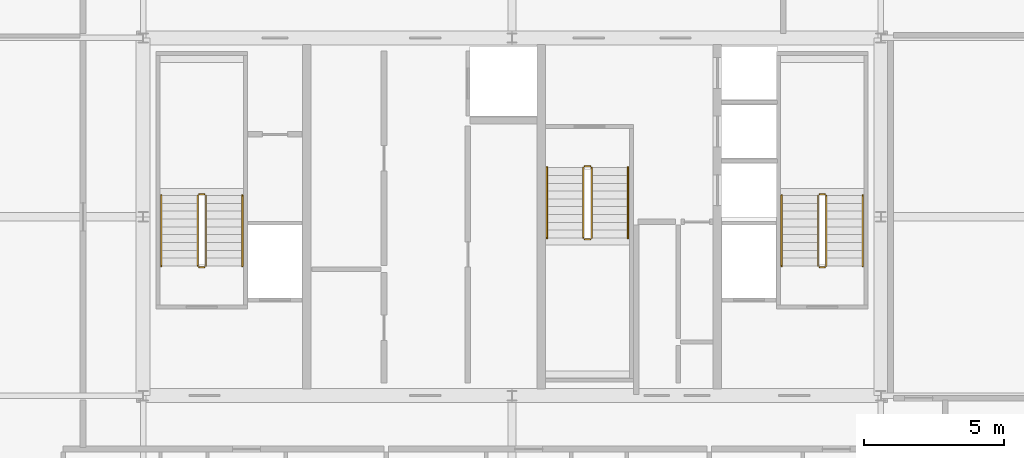
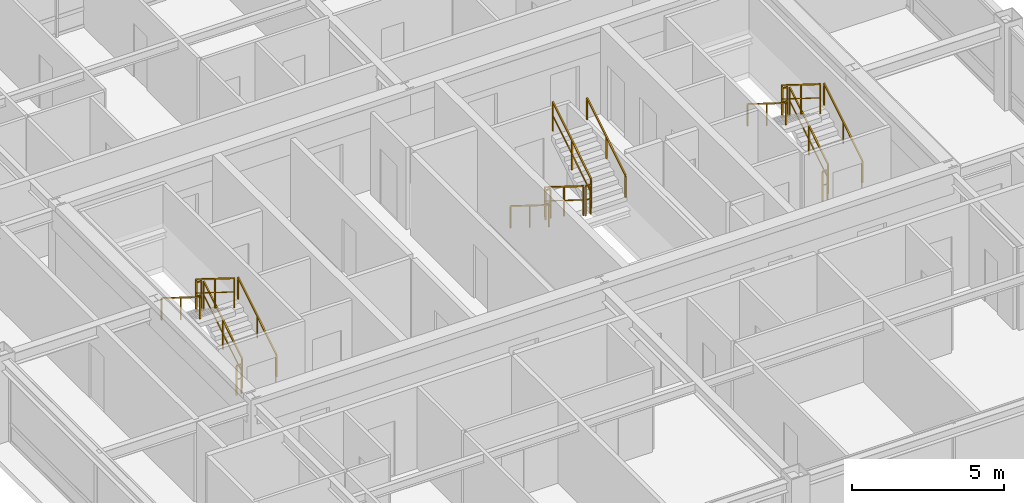
# One storey, part 35 of 35: 18 railings.
"""IFC4 building model written with IfcOpenShell, lengths in metres."""

from ifc_helpers import new_model, si_unit, direction, frame, origin, origin_2d, place, context, subcontext, project, spatial, rectangle, extrude, source, transform, mapped, material, layer, layer_set, type_object, element, save


model = new_model("IFC4")

# Units and contexts
model_context = context("Model", 3, precision=1e-05, world=origin(), true_north=direction((0.0, 1.0)))
body_context = subcontext(model_context, "Body", "Model", "MODEL_VIEW")
ifc_project = project(units=[si_unit("LENGTHUNIT", "METRE"), si_unit("AREAUNIT", "SQUARE_METRE"), si_unit("VOLUMEUNIT", "CUBIC_METRE"), si_unit("PLANEANGLEUNIT", "RADIAN"), si_unit("MASSUNIT", "GRAM", prefix="KILO"), si_unit("THERMODYNAMICTEMPERATUREUNIT", "KELVIN"), si_unit("POWERUNIT", "WATT")], contexts=[model_context])

# Site, building, storey
site_placement = place(None, origin())
site = spatial("IfcSite", under=ifc_project, at=site_placement, CompositionType="ELEMENT")
building_placement = place(site_placement, origin())
building = spatial("IfcBuilding", under=site, at=building_placement, Name="Yuzanri Waterfront Tower", CompositionType="ELEMENT")
storey_placement = place(building_placement, frame((0.0, 0.0, 332.199951171875)))
storey = spatial("IfcBuildingStorey", under=building, at=storey_placement, Name="L89", CompositionType="ELEMENT", Elevation=332.199951171875)

# Railings
ifc_material_1 = material(Name="Painted Galvanized Fire Steel", Category="steel")
ifc_layer_1 = layer(ifc_material_1, 0.06005859375)
ifc_layer_set_1 = layer_set([ifc_layer_1], Name="Painted Galvanized Fire Steel")
railing_type_1 = type_object("IfcRailingType", Name="Painted Steel Stairwell Guardrail 1120", PredefinedType="GUARDRAIL", material=ifc_layer_set_1)
shared_shape_1 = source(origin(), body_context, "Body", "SweptSolid", [
    extrude(rectangle(XDim=0.050048828125, YDim=0.050048828125, at=origin_2d()), frame((0.0, 0.0, 1.1748046875), z_axis=(-1.0, 0.0, 0.0), x_axis=(0.0, -1.0, 0.0)), (0.0, 0.0, 1.0), 0.199951171875),
    extrude(rectangle(XDim=0.035888671875, YDim=0.030029296875, at=origin_2d()), frame((0.0, 0.0, 0.6240234375), z_axis=(-1.0, 0.0, 0.0), x_axis=(0.0, -1.0, 0.0)), (0.0, 0.0, 1.0), 0.199951171875),
    extrude(rectangle(XDim=0.0458984375, YDim=0.0458984375, at=origin_2d()), origin(), (0.0, 0.0, 1.0), 1.14990234375),
    extrude(rectangle(XDim=0.0458984375, YDim=0.0458984375, at=origin_2d()), frame((-0.199951171875, 0.0, 0.0)), (0.0, 0.0, 1.0), 1.14990234375),
])
for number, where, name in (
    (1, (26.0, 26.610107421875, 1.75), "L89 ST-01 stair guard 2"),
    (2, (26.0, 23.989990234375, 0.0), "L89 ST-01 stair guard 4"),
    (3, (48.199951171875, 26.610107421875, 1.75), "L89 ST-02 stair guard 2"),
    (4, (48.199951171875, 23.989990234375, 0.0), "L89 ST-02 stair guard 4"),
):
    element("IfcRailing", number, at=place(storey_placement, frame(where)), inside=storey, type_object=railing_type_1, Name=name, PredefinedType="GUARDRAIL", context=body_context, shape_type="MappedRepresentation", body=[
        mapped(shared_shape_1, transform((0.0, 0.0, 0.0), scale=1.0)),
    ])
shared_shape_2 = source(origin(), body_context, "Body", "SweptSolid", [
    extrude(rectangle(XDim=0.050048828125, YDim=0.050048828125, at=origin_2d()), frame((0.0, 0.0, 1.1748046875), z_axis=(0.0, 0.848007534815, 0.529984170421), x_axis=(-1.0, 0.0, 0.0)), (0.0, 0.0, 1.0), 2.9716796875),
    extrude(rectangle(XDim=0.035888671875, YDim=0.030029296875, at=origin_2d()), frame((0.0, 0.0, 0.6240234375), z_axis=(0.0, 0.848007534815, 0.529984170421), x_axis=(-1.0, 0.0, 0.0)), (0.0, 0.0, 1.0), 2.9716796875),
    extrude(rectangle(XDim=0.0458984375, YDim=0.0458984375, at=origin_2d()), origin(), (0.0, 0.0, 1.0), 1.14990234375),
    extrude(rectangle(XDim=0.0458984375, YDim=0.0458984375, at=origin_2d()), frame((0.0, 1.260009765625, 0.78759765625)), (0.0, 0.0, 1.0), 1.14990234375),
    extrude(rectangle(XDim=0.0458984375, YDim=0.0458984375, at=origin_2d()), frame((0.0, 2.52001953125, 1.574951171875)), (0.0, 0.0, 1.0), 1.14990234375),
])
for number, where, name in (
    (5, (26.050048828125, 24.0400390625, 0.175048828125), "L89 ST-01 stair guard 1"),
    (6, (48.25, 24.0400390625, 0.175048828125), "L89 ST-02 stair guard 1"),
    (7, (39.85009765625, 25.0400390625, 1.925048828125), "L89 ST-03 stair guard 3"),
):
    element("IfcRailing", number, at=place(storey_placement, frame(where)), inside=storey, type_object=railing_type_1, Name=name, PredefinedType="GUARDRAIL", context=body_context, shape_type="MappedRepresentation", body=[
        mapped(shared_shape_2, transform((0.0, 0.0, 0.0), scale=1.0)),
    ])
shared_shape_3 = source(origin(), body_context, "Body", "SweptSolid", [
    extrude(rectangle(XDim=0.050048828125, YDim=0.050048828125, at=origin_2d()), frame((0.0, 0.0, 1.1748046875), z_axis=(0.0, -0.848007534815, 0.529984170421), x_axis=(1.0, 0.0, 0.0)), (0.0, 0.0, 1.0), 2.9716796875),
    extrude(rectangle(XDim=0.035888671875, YDim=0.030029296875, at=origin_2d()), frame((0.0, 0.0, 0.6240234375), z_axis=(0.0, -0.848007534815, 0.529984170421), x_axis=(1.0, 0.0, 0.0)), (0.0, 0.0, 1.0), 2.9716796875),
    extrude(rectangle(XDim=0.0458984375, YDim=0.0458984375, at=origin_2d()), origin(), (0.0, 0.0, 1.0), 1.14990234375),
    extrude(rectangle(XDim=0.0458984375, YDim=0.0458984375, at=origin_2d()), frame((0.0, -1.260009765625, 0.78759765625)), (0.0, 0.0, 1.0), 1.14990234375),
    extrude(rectangle(XDim=0.0458984375, YDim=0.0458984375, at=origin_2d()), frame((0.0, -2.52001953125, 1.574951171875)), (0.0, 0.0, 1.0), 1.14990234375),
])
for number, where, name in (
    (8, (25.75, 26.56005859375, 1.925048828125), "L89 ST-01 stair guard 3"),
    (9, (47.949951171875, 26.56005859375, 1.925048828125), "L89 ST-02 stair guard 3"),
    (10, (39.550048828125, 27.56005859375, 0.175048828125), "L89 ST-03 stair guard 1"),
):
    element("IfcRailing", number, at=place(storey_placement, frame(where)), inside=storey, type_object=railing_type_1, Name=name, PredefinedType="GUARDRAIL", context=body_context, shape_type="MappedRepresentation", body=[
        mapped(shared_shape_3, transform((0.0, 0.0, 0.0), scale=1.0)),
    ])
ifc_material_2 = material(Name="Anodized Architectural Bronze", Category="metal")
ifc_layer_2 = layer(ifc_material_2, 0.050048828125)
ifc_layer_set_2 = layer_set([ifc_layer_2], Name="Anodized Architectural Bronze")
railing_type_2 = type_object("IfcRailingType", Name="Brushed Bronze Stair Pitch Handrail 920", PredefinedType="HANDRAIL", material=ifc_layer_set_2)
shared_shape_4 = source(origin(), body_context, "Body", "SweptSolid", [
    extrude(rectangle(XDim=0.050048828125, YDim=0.050048828125, at=origin_2d()), frame((0.0, 0.0, 0.875), z_axis=(0.0, 0.848007534815, 0.529984170421), x_axis=(-1.0, 0.0, 0.0)), (0.0, 0.0, 1.0), 2.9716796875),
    extrude(rectangle(XDim=0.0458984375, YDim=0.0458984375, at=origin_2d()), origin(), (0.0, 0.0, 1.0), 0.849853515625),
    extrude(rectangle(XDim=0.0458984375, YDim=0.0458984375, at=origin_2d()), frame((0.0, 1.260009765625, 0.78759765625)), (0.0, 0.0, 1.0), 0.849853515625),
    extrude(rectangle(XDim=0.0458984375, YDim=0.0458984375, at=origin_2d()), frame((0.0, 2.52001953125, 1.574951171875)), (0.0, 0.0, 1.0), 0.849853515625),
])
for number, where, name in (
    (11, (27.35009765625, 24.0400390625, 0.175048828125), "L89 ST-01 stair handrail 1"),
    (12, (49.550048828125, 24.0400390625, 0.175048828125), "L89 ST-02 stair handrail 1"),
    (13, (41.14990234375, 25.0400390625, 1.925048828125), "L89 ST-03 stair handrail 2"),
):
    element("IfcRailing", number, at=place(storey_placement, frame(where)), inside=storey, type_object=railing_type_2, Name=name, PredefinedType="HANDRAIL", context=body_context, shape_type="MappedRepresentation", body=[
        mapped(shared_shape_4, transform((0.0, 0.0, 0.0), scale=1.0)),
    ])
shared_shape_5 = source(origin(), body_context, "Body", "SweptSolid", [
    extrude(rectangle(XDim=0.050048828125, YDim=0.050048828125, at=origin_2d()), frame((0.0, 0.0, 0.875), z_axis=(0.0, -0.848007534815, 0.529984170421), x_axis=(1.0, 0.0, 0.0)), (0.0, 0.0, 1.0), 2.9716796875),
    extrude(rectangle(XDim=0.0458984375, YDim=0.0458984375, at=origin_2d()), origin(), (0.0, 0.0, 1.0), 0.849853515625),
    extrude(rectangle(XDim=0.0458984375, YDim=0.0458984375, at=origin_2d()), frame((0.0, -1.260009765625, 0.78759765625)), (0.0, 0.0, 1.0), 0.849853515625),
    extrude(rectangle(XDim=0.0458984375, YDim=0.0458984375, at=origin_2d()), frame((0.0, -2.52001953125, 1.574951171875)), (0.0, 0.0, 1.0), 0.849853515625),
])
for number, where, name in (
    (14, (24.449951171875, 26.56005859375, 1.925048828125), "L89 ST-01 stair handrail 2"),
    (15, (46.64990234375, 26.56005859375, 1.925048828125), "L89 ST-02 stair handrail 2"),
    (16, (38.25, 27.56005859375, 0.175048828125), "L89 ST-03 stair handrail 1"),
):
    element("IfcRailing", number, at=place(storey_placement, frame(where)), inside=storey, type_object=railing_type_2, Name=name, PredefinedType="HANDRAIL", context=body_context, shape_type="MappedRepresentation", body=[
        mapped(shared_shape_5, transform((0.0, 0.0, 0.0), scale=1.0)),
    ])
shared_shape_6 = source(origin(), body_context, "Body", "SweptSolid", [
    extrude(rectangle(XDim=0.050048828125, YDim=0.050048828125, at=origin_2d()), frame((0.0, 0.0, 1.1748046875), z_axis=(1.0, 0.0, 0.0), x_axis=(0.0, 1.0, 0.0)), (0.0, 0.0, 1.0), 0.199951171875),
    extrude(rectangle(XDim=0.035888671875, YDim=0.030029296875, at=origin_2d()), frame((0.0, 0.0, 0.6240234375), z_axis=(1.0, 0.0, 0.0), x_axis=(0.0, 1.0, 0.0)), (0.0, 0.0, 1.0), 0.199951171875),
    extrude(rectangle(XDim=0.0458984375, YDim=0.0458984375, at=origin_2d()), origin(), (0.0, 0.0, 1.0), 1.14990234375),
    extrude(rectangle(XDim=0.0458984375, YDim=0.0458984375, at=origin_2d()), frame((0.199951171875, 0.0, 0.0)), (0.0, 0.0, 1.0), 1.14990234375),
])
for number, where, name in (
    (17, (39.60009765625, 24.989990234375, 1.75), "L89 ST-03 stair guard 2"),
    (18, (39.60009765625, 27.610107421875, 0.0), "L89 ST-03 stair guard 4"),
):
    element("IfcRailing", number, at=place(storey_placement, frame(where)), inside=storey, type_object=railing_type_1, Name=name, PredefinedType="GUARDRAIL", context=body_context, shape_type="MappedRepresentation", body=[
        mapped(shared_shape_6, transform((0.0, 0.0, 0.0), scale=1.0)),
    ])

save(model, "model.ifc")
